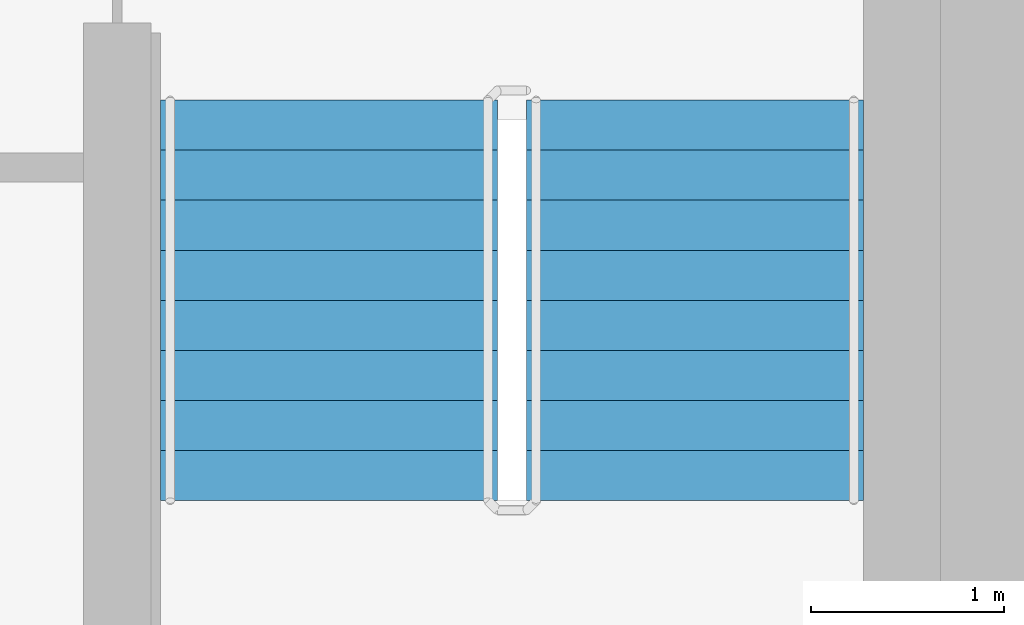
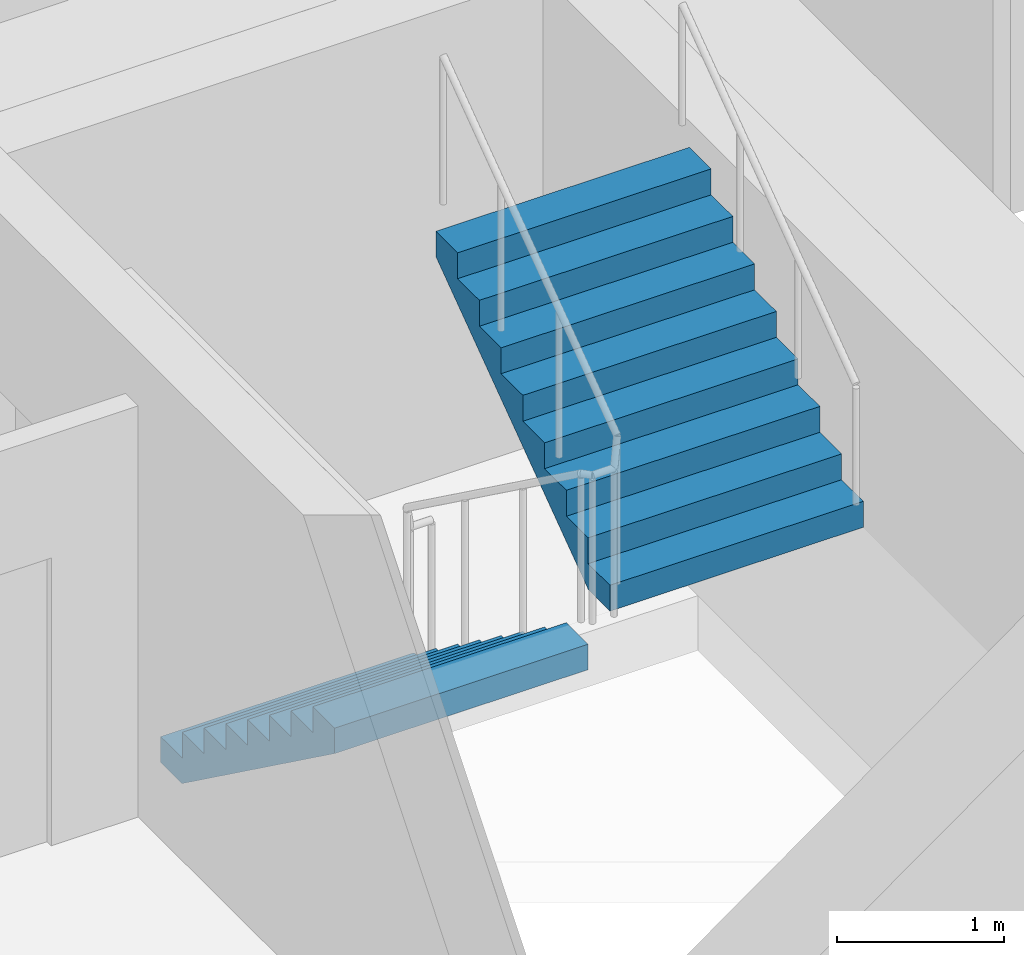
# One storey, part 15 of 19: 2 stair flights, 1 element without a shape of its own.
"""IFC4 building model written with IfcOpenShell, lengths in metres."""

from ifc_helpers import new_model, si_unit, direction, frame, origin, place, context, subcontext, project, spatial, faceted_brep, material, type_object, element, aggregate, save


model = new_model("IFC4")

# Units and contexts
model_context = context("Model", 3, precision=1e-05, world=origin(), true_north=direction((0.0, 1.0)))
body_context = subcontext(model_context, "Body", "Model", "MODEL_VIEW")
ifc_project = project(units=[si_unit("LENGTHUNIT", "METRE"), si_unit("AREAUNIT", "SQUARE_METRE"), si_unit("VOLUMEUNIT", "CUBIC_METRE"), si_unit("PLANEANGLEUNIT", "RADIAN"), si_unit("MASSUNIT", "GRAM", prefix="KILO")], contexts=[model_context])

# Site, building, storey
site_placement = place(None, origin())
site = spatial("IfcSite", under=ifc_project, at=site_placement, CompositionType="ELEMENT")
building_placement = place(site_placement, origin())
building = spatial("IfcBuilding", under=site, at=building_placement, Name="Ipe Terrace Towers", CompositionType="ELEMENT")
storey_placement = place(building_placement, frame((0.0, 0.0, 157.5)))
storey = spatial("IfcBuildingStorey", under=building, at=storey_placement, Name="L43", CompositionType="ELEMENT", Elevation=157.5)

# Stair, stair flights
ifc_material_1 = material(Name="Concrete C30/37", Category="concrete")
stair_type = type_object("IfcStairType", Name="Protected exit stair", PredefinedType="HALF_TURN_STAIR", material=ifc_material_1)
stair_placement = place(storey_placement, origin())
stair = element("IfcStair", 1, at=stair_placement, inside=storey, type_object=stair_type, Name="L43 Exit stair T2-C2", PredefinedType="HALF_TURN_STAIR")
ifc_material_2 = material(Name="Concrete C30/37", Category="concrete")
stair_flight_type = type_object("IfcStairFlightType", Name="Exit stair flight 1750", PredefinedType="STRAIGHT", material=ifc_material_2)
stair_flight_1_placement = place(storey_placement, frame((38.77490234375, -9.699951171875, 0.0), z_axis=(0.0, 0.0, 1.0), x_axis=(0.0, -1.0, 0.0)))
stair_flight_1 = element("IfcStairFlight", 2, at=stair_flight_1_placement, type_object=stair_flight_type, Name="T2-ST2 flight 1", NumberOfRisers=9, NumberOfTreads=8, PredefinedType="STRAIGHT", RiserHeight=0.188888889, TreadLength=0.26, context=body_context, shape_type="Brep", body=[
    faceted_brep([(0.255126953125, -0.875, 0.0), (2.080078125, -0.875, 1.325927734375), (2.080078125, -0.875, 1.51123046875), (1.820068359375, -0.875, 1.51123046875), (1.820068359375, -0.875, 1.322265625), (1.56005859375, -0.875, 1.322265625), (1.56005859375, -0.875, 1.13330078125), (1.300048828125, -0.875, 1.13330078125), (1.300048828125, -0.875, 0.9443359375), (1.0400390625, -0.875, 0.9443359375), (1.0400390625, -0.875, 0.755615234375), (0.780029296875, -0.875, 0.755615234375), (0.780029296875, -0.875, 0.566650390625), (0.52001953125, -0.875, 0.566650390625), (0.52001953125, -0.875, 0.377685546875), (0.260009765625, -0.875, 0.377685546875), (0.260009765625, -0.875, 0.18896484375), (0.0, -0.875, 0.18896484375), (0.0, -0.875, 0.0), (0.0, 0.875, 0.0), (0.0, 0.875, 0.18896484375), (0.260009765625, 0.875, 0.18896484375), (0.260009765625, 0.875, 0.377685546875), (0.52001953125, 0.875, 0.377685546875), (0.52001953125, 0.875, 0.566650390625), (0.780029296875, 0.875, 0.566650390625), (0.780029296875, 0.875, 0.755615234375), (1.0400390625, 0.875, 0.755615234375), (1.0400390625, 0.875, 0.9443359375), (1.300048828125, 0.875, 0.9443359375), (1.300048828125, 0.875, 1.13330078125), (1.56005859375, 0.875, 1.13330078125), (1.56005859375, 0.875, 1.322265625), (1.820068359375, 0.875, 1.322265625), (1.820068359375, 0.875, 1.51123046875), (2.080078125, 0.875, 1.51123046875), (2.080078125, 0.875, 1.325927734375), (0.255126953125, 0.875, 0.0), (0.0, -0.300048828125, 0.18896484375), (0.0, -0.1201171875, 0.18896484375), (0.0, -0.06005859375, 0.18896484375), (0.0, -0.030029296875, 0.18896484375), (0.0, -0.010009765625, 0.18896484375), (0.0, 0.0, 0.18896484375), (0.0, 0.010009765625, 0.18896484375), (0.0, 0.030029296875, 0.18896484375), (0.0, 0.06005859375, 0.18896484375), (0.0, 0.1201171875, 0.18896484375), (0.0, 0.300048828125, 0.18896484375), (0.0, 0.300048828125, 0.0), (0.0, 0.1201171875, 0.0), (0.0, 0.06005859375, 0.0), (0.0, 0.030029296875, 0.0), (0.0, 0.010009765625, 0.0), (0.0, 0.0, 0.0), (0.0, -0.010009765625, 0.0), (0.0, -0.030029296875, 0.0), (0.0, -0.06005859375, 0.0), (0.0, -0.1201171875, 0.0), (0.0, -0.300048828125, 0.0), (0.260009765625, -0.300048828125, 0.18896484375), (0.260009765625, -0.1201171875, 0.18896484375), (0.260009765625, -0.06005859375, 0.18896484375), (0.260009765625, -0.030029296875, 0.18896484375), (0.260009765625, -0.010009765625, 0.18896484375), (0.260009765625, 0.0, 0.18896484375), (0.260009765625, 0.010009765625, 0.18896484375), (0.260009765625, 0.030029296875, 0.18896484375), (0.260009765625, 0.06005859375, 0.18896484375), (0.260009765625, 0.1201171875, 0.18896484375), (0.260009765625, 0.300048828125, 0.18896484375), (0.260009765625, -0.300048828125, 0.377685546875), (0.260009765625, -0.1201171875, 0.377685546875), (0.260009765625, -0.06005859375, 0.377685546875), (0.260009765625, -0.030029296875, 0.377685546875), (0.260009765625, -0.010009765625, 0.377685546875), (0.260009765625, 0.0, 0.377685546875), (0.260009765625, 0.010009765625, 0.377685546875), (0.260009765625, 0.030029296875, 0.377685546875), (0.260009765625, 0.06005859375, 0.377685546875), (0.260009765625, 0.1201171875, 0.377685546875), (0.260009765625, 0.300048828125, 0.377685546875), (0.52001953125, -0.300048828125, 0.377685546875), (0.52001953125, -0.1201171875, 0.377685546875), (0.52001953125, -0.06005859375, 0.377685546875), (0.52001953125, -0.030029296875, 0.377685546875), (0.52001953125, -0.010009765625, 0.377685546875), (0.52001953125, 0.0, 0.377685546875), (0.52001953125, 0.010009765625, 0.377685546875), (0.52001953125, 0.030029296875, 0.377685546875), (0.52001953125, 0.06005859375, 0.377685546875), (0.52001953125, 0.1201171875, 0.377685546875), (0.52001953125, 0.300048828125, 0.377685546875), (0.52001953125, -0.300048828125, 0.566650390625), (0.52001953125, -0.1201171875, 0.566650390625), (0.52001953125, -0.06005859375, 0.566650390625), (0.52001953125, -0.030029296875, 0.566650390625), (0.52001953125, -0.010009765625, 0.566650390625), (0.52001953125, 0.0, 0.566650390625), (0.52001953125, 0.010009765625, 0.566650390625), (0.52001953125, 0.030029296875, 0.566650390625), (0.52001953125, 0.06005859375, 0.566650390625), (0.52001953125, 0.1201171875, 0.566650390625), (0.52001953125, 0.300048828125, 0.566650390625), (0.780029296875, -0.300048828125, 0.566650390625), (0.780029296875, -0.1201171875, 0.566650390625), (0.780029296875, -0.06005859375, 0.566650390625), (0.780029296875, -0.030029296875, 0.566650390625), (0.780029296875, -0.010009765625, 0.566650390625), (0.780029296875, 0.0, 0.566650390625), (0.780029296875, 0.010009765625, 0.566650390625), (0.780029296875, 0.030029296875, 0.566650390625), (0.780029296875, 0.06005859375, 0.566650390625), (0.780029296875, 0.1201171875, 0.566650390625), (0.780029296875, 0.300048828125, 0.566650390625), (0.780029296875, -0.300048828125, 0.755615234375), (0.780029296875, -0.1201171875, 0.755615234375), (0.780029296875, -0.06005859375, 0.755615234375), (0.780029296875, -0.030029296875, 0.755615234375), (0.780029296875, -0.010009765625, 0.755615234375), (0.780029296875, 0.0, 0.755615234375), (0.780029296875, 0.010009765625, 0.755615234375), (0.780029296875, 0.030029296875, 0.755615234375), (0.780029296875, 0.06005859375, 0.755615234375), (0.780029296875, 0.1201171875, 0.755615234375), (0.780029296875, 0.300048828125, 0.755615234375), (1.0400390625, -0.300048828125, 0.755615234375), (1.0400390625, -0.1201171875, 0.755615234375), (1.0400390625, -0.06005859375, 0.755615234375), (1.0400390625, -0.030029296875, 0.755615234375), (1.0400390625, -0.010009765625, 0.755615234375), (1.0400390625, 0.0, 0.755615234375), (1.0400390625, 0.010009765625, 0.755615234375), (1.0400390625, 0.030029296875, 0.755615234375), (1.0400390625, 0.06005859375, 0.755615234375), (1.0400390625, 0.1201171875, 0.755615234375), (1.0400390625, 0.300048828125, 0.755615234375), (1.0400390625, -0.300048828125, 0.9443359375), (1.0400390625, -0.1201171875, 0.9443359375), (1.0400390625, -0.06005859375, 0.9443359375), (1.0400390625, -0.030029296875, 0.9443359375), (1.0400390625, -0.010009765625, 0.9443359375), (1.0400390625, 0.0, 0.9443359375), (1.0400390625, 0.010009765625, 0.9443359375), (1.0400390625, 0.030029296875, 0.9443359375), (1.0400390625, 0.06005859375, 0.9443359375), (1.0400390625, 0.1201171875, 0.9443359375), (1.0400390625, 0.300048828125, 0.9443359375), (1.300048828125, -0.300048828125, 0.9443359375), (1.300048828125, -0.1201171875, 0.9443359375), (1.300048828125, -0.06005859375, 0.9443359375), (1.300048828125, -0.030029296875, 0.9443359375), (1.300048828125, -0.010009765625, 0.9443359375), (1.300048828125, 0.0, 0.9443359375), (1.300048828125, 0.010009765625, 0.9443359375), (1.300048828125, 0.030029296875, 0.9443359375), (1.300048828125, 0.06005859375, 0.9443359375), (1.300048828125, 0.1201171875, 0.9443359375), (1.300048828125, 0.300048828125, 0.9443359375), (1.300048828125, -0.300048828125, 1.13330078125), (1.300048828125, -0.1201171875, 1.13330078125), (1.300048828125, -0.06005859375, 1.13330078125), (1.300048828125, -0.030029296875, 1.13330078125), (1.300048828125, -0.010009765625, 1.13330078125), (1.300048828125, 0.0, 1.13330078125), (1.300048828125, 0.010009765625, 1.13330078125), (1.300048828125, 0.030029296875, 1.13330078125), (1.300048828125, 0.06005859375, 1.13330078125), (1.300048828125, 0.1201171875, 1.13330078125), (1.300048828125, 0.300048828125, 1.13330078125), (1.56005859375, -0.300048828125, 1.13330078125), (1.56005859375, -0.1201171875, 1.13330078125), (1.56005859375, -0.06005859375, 1.13330078125), (1.56005859375, -0.030029296875, 1.13330078125), (1.56005859375, -0.010009765625, 1.13330078125), (1.56005859375, 0.0, 1.13330078125), (1.56005859375, 0.010009765625, 1.13330078125), (1.56005859375, 0.030029296875, 1.13330078125), (1.56005859375, 0.06005859375, 1.13330078125), (1.56005859375, 0.1201171875, 1.13330078125), (1.56005859375, 0.300048828125, 1.13330078125), (1.56005859375, -0.300048828125, 1.322265625), (1.56005859375, -0.1201171875, 1.322265625), (1.56005859375, -0.06005859375, 1.322265625), (1.56005859375, -0.030029296875, 1.322265625), (1.56005859375, -0.010009765625, 1.322265625), (1.56005859375, 0.0, 1.322265625), (1.56005859375, 0.010009765625, 1.322265625), (1.56005859375, 0.030029296875, 1.322265625), (1.56005859375, 0.06005859375, 1.322265625), (1.56005859375, 0.1201171875, 1.322265625), (1.56005859375, 0.300048828125, 1.322265625), (1.820068359375, -0.300048828125, 1.322265625), (1.820068359375, -0.1201171875, 1.322265625), (1.820068359375, -0.06005859375, 1.322265625), (1.820068359375, -0.030029296875, 1.322265625), (1.820068359375, -0.010009765625, 1.322265625), (1.820068359375, 0.0, 1.322265625), (1.820068359375, 0.010009765625, 1.322265625), (1.820068359375, 0.030029296875, 1.322265625), (1.820068359375, 0.06005859375, 1.322265625), (1.820068359375, 0.1201171875, 1.322265625), (1.820068359375, 0.300048828125, 1.322265625), (1.820068359375, -0.300048828125, 1.51123046875), (1.820068359375, -0.1201171875, 1.51123046875), (1.820068359375, -0.06005859375, 1.51123046875), (1.820068359375, -0.030029296875, 1.51123046875), (1.820068359375, -0.010009765625, 1.51123046875), (1.820068359375, 0.0, 1.51123046875), (1.820068359375, 0.010009765625, 1.51123046875), (1.820068359375, 0.030029296875, 1.51123046875), (1.820068359375, 0.06005859375, 1.51123046875), (1.820068359375, 0.1201171875, 1.51123046875), (1.820068359375, 0.300048828125, 1.51123046875), (2.080078125, -0.300048828125, 1.51123046875), (2.080078125, -0.1201171875, 1.51123046875), (2.080078125, -0.06005859375, 1.51123046875), (2.080078125, -0.030029296875, 1.51123046875), (2.080078125, -0.010009765625, 1.51123046875), (2.080078125, 0.0, 1.51123046875), (2.080078125, 0.010009765625, 1.51123046875), (2.080078125, 0.030029296875, 1.51123046875), (2.080078125, 0.06005859375, 1.51123046875), (2.080078125, 0.1201171875, 1.51123046875), (2.080078125, 0.300048828125, 1.51123046875), (2.080078125, -0.300048828125, 1.325927734375), (2.080078125, -0.1201171875, 1.325927734375), (2.080078125, -0.06005859375, 1.325927734375), (2.080078125, -0.030029296875, 1.325927734375), (2.080078125, -0.010009765625, 1.325927734375), (2.080078125, 0.0, 1.325927734375), (2.080078125, 0.010009765625, 1.325927734375), (2.080078125, 0.030029296875, 1.325927734375), (2.080078125, 0.06005859375, 1.325927734375), (2.080078125, 0.1201171875, 1.325927734375), (2.080078125, 0.300048828125, 1.325927734375), (0.255126953125, -0.300048828125, 0.0), (0.255126953125, -0.1201171875, 0.0), (0.255126953125, -0.06005859375, 0.0), (0.255126953125, -0.030029296875, 0.0), (0.255126953125, -0.010009765625, 0.0), (0.255126953125, 0.0, 0.0), (0.255126953125, 0.010009765625, 0.0), (0.255126953125, 0.030029296875, 0.0), (0.255126953125, 0.06005859375, 0.0), (0.255126953125, 0.1201171875, 0.0), (0.255126953125, 0.300048828125, 0.0)], [[[0, 1, 2, 3, 4, 5, 6, 7, 8, 9, 10, 11, 12, 13, 14, 15, 16, 17, 18]], [[19, 20, 21, 22, 23, 24, 25, 26, 27, 28, 29, 30, 31, 32, 33, 34, 35, 36, 37]], [[17, 38, 39, 40, 41, 42, 43, 44, 45, 46, 47, 48, 20, 19, 49, 50, 51, 52, 53, 54, 55, 56, 57, 58, 59, 18]], [[16, 60, 61, 62, 63, 64, 65, 66, 67, 68, 69, 70, 21, 20, 48, 47, 46, 45, 44, 43, 42, 41, 40, 39, 38, 17]], [[15, 71, 72, 73, 74, 75, 76, 77, 78, 79, 80, 81, 22, 21, 70, 69, 68, 67, 66, 65, 64, 63, 62, 61, 60, 16]], [[14, 82, 83, 84, 85, 86, 87, 88, 89, 90, 91, 92, 23, 22, 81, 80, 79, 78, 77, 76, 75, 74, 73, 72, 71, 15]], [[13, 93, 94, 95, 96, 97, 98, 99, 100, 101, 102, 103, 24, 23, 92, 91, 90, 89, 88, 87, 86, 85, 84, 83, 82, 14]], [[12, 104, 105, 106, 107, 108, 109, 110, 111, 112, 113, 114, 25, 24, 103, 102, 101, 100, 99, 98, 97, 96, 95, 94, 93, 13]], [[11, 115, 116, 117, 118, 119, 120, 121, 122, 123, 124, 125, 26, 25, 114, 113, 112, 111, 110, 109, 108, 107, 106, 105, 104, 12]], [[10, 126, 127, 128, 129, 130, 131, 132, 133, 134, 135, 136, 27, 26, 125, 124, 123, 122, 121, 120, 119, 118, 117, 116, 115, 11]], [[9, 137, 138, 139, 140, 141, 142, 143, 144, 145, 146, 147, 28, 27, 136, 135, 134, 133, 132, 131, 130, 129, 128, 127, 126, 10]], [[8, 148, 149, 150, 151, 152, 153, 154, 155, 156, 157, 158, 29, 28, 147, 146, 145, 144, 143, 142, 141, 140, 139, 138, 137, 9]], [[7, 159, 160, 161, 162, 163, 164, 165, 166, 167, 168, 169, 30, 29, 158, 157, 156, 155, 154, 153, 152, 151, 150, 149, 148, 8]], [[6, 170, 171, 172, 173, 174, 175, 176, 177, 178, 179, 180, 31, 30, 169, 168, 167, 166, 165, 164, 163, 162, 161, 160, 159, 7]], [[5, 181, 182, 183, 184, 185, 186, 187, 188, 189, 190, 191, 32, 31, 180, 179, 178, 177, 176, 175, 174, 173, 172, 171, 170, 6]], [[4, 192, 193, 194, 195, 196, 197, 198, 199, 200, 201, 202, 33, 32, 191, 190, 189, 188, 187, 186, 185, 184, 183, 182, 181, 5]], [[3, 203, 204, 205, 206, 207, 208, 209, 210, 211, 212, 213, 34, 33, 202, 201, 200, 199, 198, 197, 196, 195, 194, 193, 192, 4]], [[2, 214, 215, 216, 217, 218, 219, 220, 221, 222, 223, 224, 35, 34, 213, 212, 211, 210, 209, 208, 207, 206, 205, 204, 203, 3]], [[1, 225, 226, 227, 228, 229, 230, 231, 232, 233, 234, 235, 36, 35, 224, 223, 222, 221, 220, 219, 218, 217, 216, 215, 214, 2]], [[0, 236, 237, 238, 239, 240, 241, 242, 243, 244, 245, 246, 37, 36, 235, 234, 233, 232, 231, 230, 229, 228, 227, 226, 225, 1]], [[18, 59, 58, 57, 56, 55, 54, 53, 52, 51, 50, 49, 19, 37, 246, 245, 244, 243, 242, 241, 240, 239, 238, 237, 236, 0]]]),
])
stair_flight_2_placement = place(storey_placement, frame((40.675048828125, -11.780029296875, 1.699951171875), z_axis=(0.0, 0.0, 1.0), x_axis=(0.0, 1.0, 0.0)))
stair_flight_2 = element("IfcStairFlight", 3, at=stair_flight_2_placement, type_object=stair_flight_type, Name="T2-ST2 flight 2", NumberOfRisers=9, NumberOfTreads=8, PredefinedType="STRAIGHT", RiserHeight=0.188888889, TreadLength=0.26, context=body_context, shape_type="Brep", body=[
    faceted_brep([(0.255126953125, -0.875, 0.0), (2.080078125, -0.875, 1.325927734375), (2.080078125, -0.875, 1.51123046875), (1.820068359375, -0.875, 1.51123046875), (1.820068359375, -0.875, 1.322265625), (1.56005859375, -0.875, 1.322265625), (1.56005859375, -0.875, 1.13330078125), (1.300048828125, -0.875, 1.13330078125), (1.300048828125, -0.875, 0.9443359375), (1.0400390625, -0.875, 0.9443359375), (1.0400390625, -0.875, 0.755615234375), (0.780029296875, -0.875, 0.755615234375), (0.780029296875, -0.875, 0.566650390625), (0.52001953125, -0.875, 0.566650390625), (0.52001953125, -0.875, 0.377685546875), (0.260009765625, -0.875, 0.377685546875), (0.260009765625, -0.875, 0.18896484375), (0.0, -0.875, 0.18896484375), (0.0, -0.875, 0.0), (0.0, 0.875, 0.0), (0.0, 0.875, 0.18896484375), (0.260009765625, 0.875, 0.18896484375), (0.260009765625, 0.875, 0.377685546875), (0.52001953125, 0.875, 0.377685546875), (0.52001953125, 0.875, 0.566650390625), (0.780029296875, 0.875, 0.566650390625), (0.780029296875, 0.875, 0.755615234375), (1.0400390625, 0.875, 0.755615234375), (1.0400390625, 0.875, 0.9443359375), (1.300048828125, 0.875, 0.9443359375), (1.300048828125, 0.875, 1.13330078125), (1.56005859375, 0.875, 1.13330078125), (1.56005859375, 0.875, 1.322265625), (1.820068359375, 0.875, 1.322265625), (1.820068359375, 0.875, 1.51123046875), (2.080078125, 0.875, 1.51123046875), (2.080078125, 0.875, 1.325927734375), (0.255126953125, 0.875, 0.0), (0.0, -0.300048828125, 0.18896484375), (0.0, -0.1201171875, 0.18896484375), (0.0, -0.06005859375, 0.18896484375), (0.0, -0.030029296875, 0.18896484375), (0.0, -0.010009765625, 0.18896484375), (0.0, 0.0, 0.18896484375), (0.0, 0.010009765625, 0.18896484375), (0.0, 0.030029296875, 0.18896484375), (0.0, 0.06005859375, 0.18896484375), (0.0, 0.1201171875, 0.18896484375), (0.0, 0.300048828125, 0.18896484375), (0.0, 0.300048828125, 0.0), (0.0, 0.1201171875, 0.0), (0.0, 0.06005859375, 0.0), (0.0, 0.030029296875, 0.0), (0.0, 0.010009765625, 0.0), (0.0, 0.0, 0.0), (0.0, -0.010009765625, 0.0), (0.0, -0.030029296875, 0.0), (0.0, -0.06005859375, 0.0), (0.0, -0.1201171875, 0.0), (0.0, -0.300048828125, 0.0), (0.260009765625, -0.300048828125, 0.18896484375), (0.260009765625, -0.1201171875, 0.18896484375), (0.260009765625, -0.06005859375, 0.18896484375), (0.260009765625, -0.030029296875, 0.18896484375), (0.260009765625, -0.010009765625, 0.18896484375), (0.260009765625, 0.0, 0.18896484375), (0.260009765625, 0.010009765625, 0.18896484375), (0.260009765625, 0.030029296875, 0.18896484375), (0.260009765625, 0.06005859375, 0.18896484375), (0.260009765625, 0.1201171875, 0.18896484375), (0.260009765625, 0.300048828125, 0.18896484375), (0.260009765625, -0.300048828125, 0.377685546875), (0.260009765625, -0.1201171875, 0.377685546875), (0.260009765625, -0.06005859375, 0.377685546875), (0.260009765625, -0.030029296875, 0.377685546875), (0.260009765625, -0.010009765625, 0.377685546875), (0.260009765625, 0.0, 0.377685546875), (0.260009765625, 0.010009765625, 0.377685546875), (0.260009765625, 0.030029296875, 0.377685546875), (0.260009765625, 0.06005859375, 0.377685546875), (0.260009765625, 0.1201171875, 0.377685546875), (0.260009765625, 0.300048828125, 0.377685546875), (0.52001953125, -0.300048828125, 0.377685546875), (0.52001953125, -0.1201171875, 0.377685546875), (0.52001953125, -0.06005859375, 0.377685546875), (0.52001953125, -0.030029296875, 0.377685546875), (0.52001953125, -0.010009765625, 0.377685546875), (0.52001953125, 0.0, 0.377685546875), (0.52001953125, 0.010009765625, 0.377685546875), (0.52001953125, 0.030029296875, 0.377685546875), (0.52001953125, 0.06005859375, 0.377685546875), (0.52001953125, 0.1201171875, 0.377685546875), (0.52001953125, 0.300048828125, 0.377685546875), (0.52001953125, -0.300048828125, 0.566650390625), (0.52001953125, -0.1201171875, 0.566650390625), (0.52001953125, -0.06005859375, 0.566650390625), (0.52001953125, -0.030029296875, 0.566650390625), (0.52001953125, -0.010009765625, 0.566650390625), (0.52001953125, 0.0, 0.566650390625), (0.52001953125, 0.010009765625, 0.566650390625), (0.52001953125, 0.030029296875, 0.566650390625), (0.52001953125, 0.06005859375, 0.566650390625), (0.52001953125, 0.1201171875, 0.566650390625), (0.52001953125, 0.300048828125, 0.566650390625), (0.780029296875, -0.300048828125, 0.566650390625), (0.780029296875, -0.1201171875, 0.566650390625), (0.780029296875, -0.06005859375, 0.566650390625), (0.780029296875, -0.030029296875, 0.566650390625), (0.780029296875, -0.010009765625, 0.566650390625), (0.780029296875, 0.0, 0.566650390625), (0.780029296875, 0.010009765625, 0.566650390625), (0.780029296875, 0.030029296875, 0.566650390625), (0.780029296875, 0.06005859375, 0.566650390625), (0.780029296875, 0.1201171875, 0.566650390625), (0.780029296875, 0.300048828125, 0.566650390625), (0.780029296875, -0.300048828125, 0.755615234375), (0.780029296875, -0.1201171875, 0.755615234375), (0.780029296875, -0.06005859375, 0.755615234375), (0.780029296875, -0.030029296875, 0.755615234375), (0.780029296875, -0.010009765625, 0.755615234375), (0.780029296875, 0.0, 0.755615234375), (0.780029296875, 0.010009765625, 0.755615234375), (0.780029296875, 0.030029296875, 0.755615234375), (0.780029296875, 0.06005859375, 0.755615234375), (0.780029296875, 0.1201171875, 0.755615234375), (0.780029296875, 0.300048828125, 0.755615234375), (1.0400390625, -0.300048828125, 0.755615234375), (1.0400390625, -0.1201171875, 0.755615234375), (1.0400390625, -0.06005859375, 0.755615234375), (1.0400390625, -0.030029296875, 0.755615234375), (1.0400390625, -0.010009765625, 0.755615234375), (1.0400390625, 0.0, 0.755615234375), (1.0400390625, 0.010009765625, 0.755615234375), (1.0400390625, 0.030029296875, 0.755615234375), (1.0400390625, 0.06005859375, 0.755615234375), (1.0400390625, 0.1201171875, 0.755615234375), (1.0400390625, 0.300048828125, 0.755615234375), (1.0400390625, -0.300048828125, 0.9443359375), (1.0400390625, -0.1201171875, 0.9443359375), (1.0400390625, -0.06005859375, 0.9443359375), (1.0400390625, -0.030029296875, 0.9443359375), (1.0400390625, -0.010009765625, 0.9443359375), (1.0400390625, 0.0, 0.9443359375), (1.0400390625, 0.010009765625, 0.9443359375), (1.0400390625, 0.030029296875, 0.9443359375), (1.0400390625, 0.06005859375, 0.9443359375), (1.0400390625, 0.1201171875, 0.9443359375), (1.0400390625, 0.300048828125, 0.9443359375), (1.300048828125, -0.300048828125, 0.9443359375), (1.300048828125, -0.1201171875, 0.9443359375), (1.300048828125, -0.06005859375, 0.9443359375), (1.300048828125, -0.030029296875, 0.9443359375), (1.300048828125, -0.010009765625, 0.9443359375), (1.300048828125, 0.0, 0.9443359375), (1.300048828125, 0.010009765625, 0.9443359375), (1.300048828125, 0.030029296875, 0.9443359375), (1.300048828125, 0.06005859375, 0.9443359375), (1.300048828125, 0.1201171875, 0.9443359375), (1.300048828125, 0.300048828125, 0.9443359375), (1.300048828125, -0.300048828125, 1.13330078125), (1.300048828125, -0.1201171875, 1.13330078125), (1.300048828125, -0.06005859375, 1.13330078125), (1.300048828125, -0.030029296875, 1.13330078125), (1.300048828125, -0.010009765625, 1.13330078125), (1.300048828125, 0.0, 1.13330078125), (1.300048828125, 0.010009765625, 1.13330078125), (1.300048828125, 0.030029296875, 1.13330078125), (1.300048828125, 0.06005859375, 1.13330078125), (1.300048828125, 0.1201171875, 1.13330078125), (1.300048828125, 0.300048828125, 1.13330078125), (1.56005859375, -0.300048828125, 1.13330078125), (1.56005859375, -0.1201171875, 1.13330078125), (1.56005859375, -0.06005859375, 1.13330078125), (1.56005859375, -0.030029296875, 1.13330078125), (1.56005859375, -0.010009765625, 1.13330078125), (1.56005859375, 0.0, 1.13330078125), (1.56005859375, 0.010009765625, 1.13330078125), (1.56005859375, 0.030029296875, 1.13330078125), (1.56005859375, 0.06005859375, 1.13330078125), (1.56005859375, 0.1201171875, 1.13330078125), (1.56005859375, 0.300048828125, 1.13330078125), (1.56005859375, -0.300048828125, 1.322265625), (1.56005859375, -0.1201171875, 1.322265625), (1.56005859375, -0.06005859375, 1.322265625), (1.56005859375, -0.030029296875, 1.322265625), (1.56005859375, -0.010009765625, 1.322265625), (1.56005859375, 0.0, 1.322265625), (1.56005859375, 0.010009765625, 1.322265625), (1.56005859375, 0.030029296875, 1.322265625), (1.56005859375, 0.06005859375, 1.322265625), (1.56005859375, 0.1201171875, 1.322265625), (1.56005859375, 0.300048828125, 1.322265625), (1.820068359375, -0.300048828125, 1.322265625), (1.820068359375, -0.1201171875, 1.322265625), (1.820068359375, -0.06005859375, 1.322265625), (1.820068359375, -0.030029296875, 1.322265625), (1.820068359375, -0.010009765625, 1.322265625), (1.820068359375, 0.0, 1.322265625), (1.820068359375, 0.010009765625, 1.322265625), (1.820068359375, 0.030029296875, 1.322265625), (1.820068359375, 0.06005859375, 1.322265625), (1.820068359375, 0.1201171875, 1.322265625), (1.820068359375, 0.300048828125, 1.322265625), (1.820068359375, -0.300048828125, 1.51123046875), (1.820068359375, -0.1201171875, 1.51123046875), (1.820068359375, -0.06005859375, 1.51123046875), (1.820068359375, -0.030029296875, 1.51123046875), (1.820068359375, -0.010009765625, 1.51123046875), (1.820068359375, 0.0, 1.51123046875), (1.820068359375, 0.010009765625, 1.51123046875), (1.820068359375, 0.030029296875, 1.51123046875), (1.820068359375, 0.06005859375, 1.51123046875), (1.820068359375, 0.1201171875, 1.51123046875), (1.820068359375, 0.300048828125, 1.51123046875), (2.080078125, -0.300048828125, 1.51123046875), (2.080078125, -0.1201171875, 1.51123046875), (2.080078125, -0.06005859375, 1.51123046875), (2.080078125, -0.030029296875, 1.51123046875), (2.080078125, -0.010009765625, 1.51123046875), (2.080078125, 0.0, 1.51123046875), (2.080078125, 0.010009765625, 1.51123046875), (2.080078125, 0.030029296875, 1.51123046875), (2.080078125, 0.06005859375, 1.51123046875), (2.080078125, 0.1201171875, 1.51123046875), (2.080078125, 0.300048828125, 1.51123046875), (2.080078125, -0.300048828125, 1.325927734375), (2.080078125, -0.1201171875, 1.325927734375), (2.080078125, -0.06005859375, 1.325927734375), (2.080078125, -0.030029296875, 1.325927734375), (2.080078125, -0.010009765625, 1.325927734375), (2.080078125, 0.0, 1.325927734375), (2.080078125, 0.010009765625, 1.325927734375), (2.080078125, 0.030029296875, 1.325927734375), (2.080078125, 0.06005859375, 1.325927734375), (2.080078125, 0.1201171875, 1.325927734375), (2.080078125, 0.300048828125, 1.325927734375), (0.255126953125, -0.300048828125, 0.0), (0.255126953125, -0.1201171875, 0.0), (0.255126953125, -0.06005859375, 0.0), (0.255126953125, -0.030029296875, 0.0), (0.255126953125, -0.010009765625, 0.0), (0.255126953125, 0.0, 0.0), (0.255126953125, 0.010009765625, 0.0), (0.255126953125, 0.030029296875, 0.0), (0.255126953125, 0.06005859375, 0.0), (0.255126953125, 0.1201171875, 0.0), (0.255126953125, 0.300048828125, 0.0)], [[[0, 1, 2, 3, 4, 5, 6, 7, 8, 9, 10, 11, 12, 13, 14, 15, 16, 17, 18]], [[19, 20, 21, 22, 23, 24, 25, 26, 27, 28, 29, 30, 31, 32, 33, 34, 35, 36, 37]], [[17, 38, 39, 40, 41, 42, 43, 44, 45, 46, 47, 48, 20, 19, 49, 50, 51, 52, 53, 54, 55, 56, 57, 58, 59, 18]], [[16, 60, 61, 62, 63, 64, 65, 66, 67, 68, 69, 70, 21, 20, 48, 47, 46, 45, 44, 43, 42, 41, 40, 39, 38, 17]], [[15, 71, 72, 73, 74, 75, 76, 77, 78, 79, 80, 81, 22, 21, 70, 69, 68, 67, 66, 65, 64, 63, 62, 61, 60, 16]], [[14, 82, 83, 84, 85, 86, 87, 88, 89, 90, 91, 92, 23, 22, 81, 80, 79, 78, 77, 76, 75, 74, 73, 72, 71, 15]], [[13, 93, 94, 95, 96, 97, 98, 99, 100, 101, 102, 103, 24, 23, 92, 91, 90, 89, 88, 87, 86, 85, 84, 83, 82, 14]], [[12, 104, 105, 106, 107, 108, 109, 110, 111, 112, 113, 114, 25, 24, 103, 102, 101, 100, 99, 98, 97, 96, 95, 94, 93, 13]], [[11, 115, 116, 117, 118, 119, 120, 121, 122, 123, 124, 125, 26, 25, 114, 113, 112, 111, 110, 109, 108, 107, 106, 105, 104, 12]], [[10, 126, 127, 128, 129, 130, 131, 132, 133, 134, 135, 136, 27, 26, 125, 124, 123, 122, 121, 120, 119, 118, 117, 116, 115, 11]], [[9, 137, 138, 139, 140, 141, 142, 143, 144, 145, 146, 147, 28, 27, 136, 135, 134, 133, 132, 131, 130, 129, 128, 127, 126, 10]], [[8, 148, 149, 150, 151, 152, 153, 154, 155, 156, 157, 158, 29, 28, 147, 146, 145, 144, 143, 142, 141, 140, 139, 138, 137, 9]], [[7, 159, 160, 161, 162, 163, 164, 165, 166, 167, 168, 169, 30, 29, 158, 157, 156, 155, 154, 153, 152, 151, 150, 149, 148, 8]], [[6, 170, 171, 172, 173, 174, 175, 176, 177, 178, 179, 180, 31, 30, 169, 168, 167, 166, 165, 164, 163, 162, 161, 160, 159, 7]], [[5, 181, 182, 183, 184, 185, 186, 187, 188, 189, 190, 191, 32, 31, 180, 179, 178, 177, 176, 175, 174, 173, 172, 171, 170, 6]], [[4, 192, 193, 194, 195, 196, 197, 198, 199, 200, 201, 202, 33, 32, 191, 190, 189, 188, 187, 186, 185, 184, 183, 182, 181, 5]], [[3, 203, 204, 205, 206, 207, 208, 209, 210, 211, 212, 213, 34, 33, 202, 201, 200, 199, 198, 197, 196, 195, 194, 193, 192, 4]], [[2, 214, 215, 216, 217, 218, 219, 220, 221, 222, 223, 224, 35, 34, 213, 212, 211, 210, 209, 208, 207, 206, 205, 204, 203, 3]], [[1, 225, 226, 227, 228, 229, 230, 231, 232, 233, 234, 235, 36, 35, 224, 223, 222, 221, 220, 219, 218, 217, 216, 215, 214, 2]], [[0, 236, 237, 238, 239, 240, 241, 242, 243, 244, 245, 246, 37, 36, 235, 234, 233, 232, 231, 230, 229, 228, 227, 226, 225, 1]], [[18, 59, 58, 57, 56, 55, 54, 53, 52, 51, 50, 49, 19, 37, 246, 245, 244, 243, 242, 241, 240, 239, 238, 237, 236, 0]]]),
])
aggregate(stair, [stair_flight_1, stair_flight_2])

save(model, "model.ifc")
